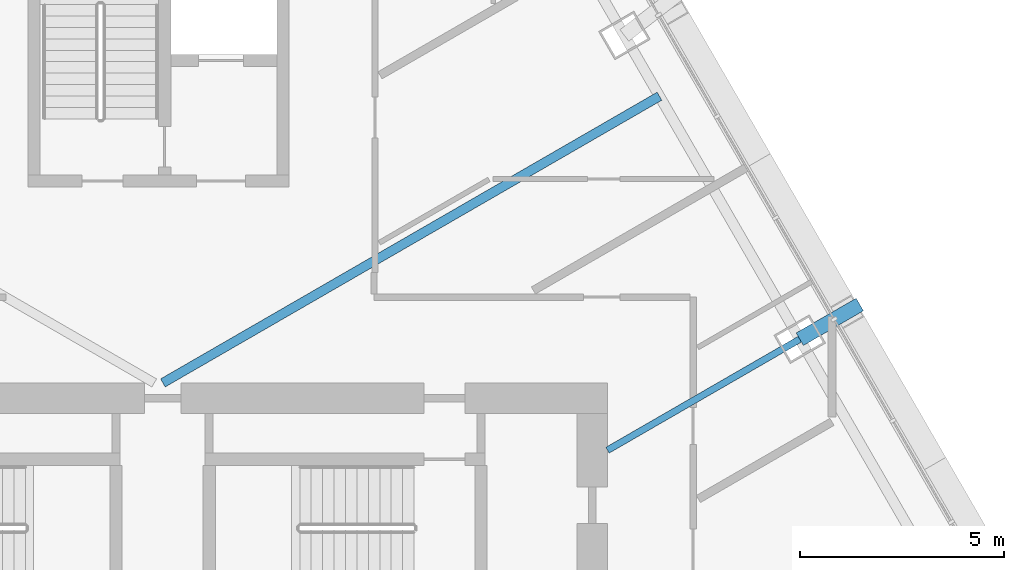
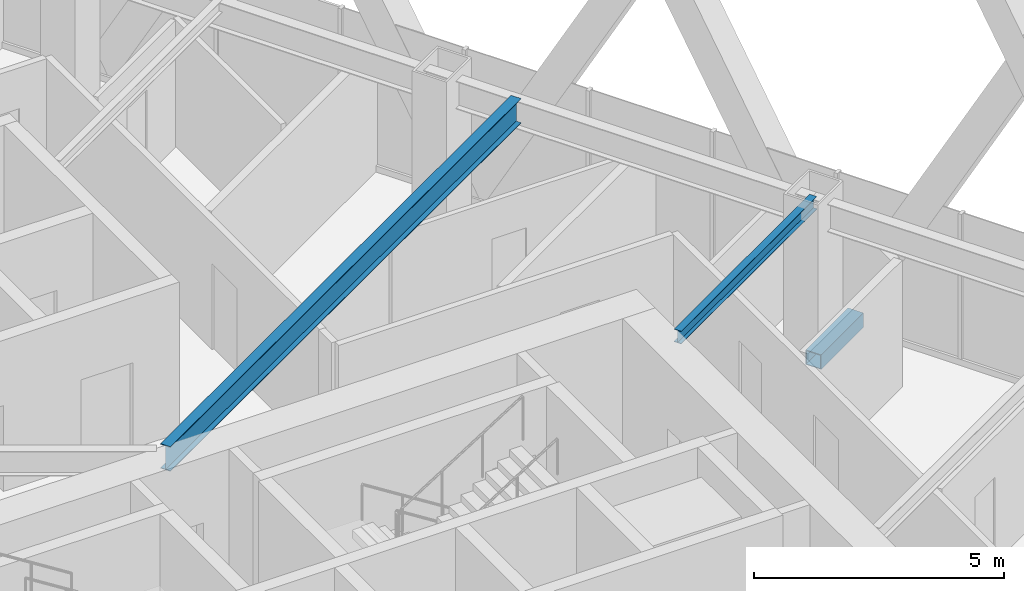
# One storey, part 12 of 23: 2 beams, 1 member.
"""IFC4 building model written with IfcOpenShell, lengths in metres."""

from ifc_helpers import new_model, si_unit, direction, frame, origin, origin_2d, place, context, subcontext, project, spatial, hollow_rectangle, i_section, extrude, material, material_profile, profile_set, type_object, element, save


model = new_model("IFC4")

# Units and contexts
model_context = context("Model", 3, precision=1e-05, world=origin(), true_north=direction((0.0, 1.0)))
body_context = subcontext(model_context, "Body", "Model", "MODEL_VIEW")
ifc_project = project(units=[si_unit("LENGTHUNIT", "METRE"), si_unit("AREAUNIT", "SQUARE_METRE"), si_unit("VOLUMEUNIT", "CUBIC_METRE"), si_unit("PLANEANGLEUNIT", "RADIAN"), si_unit("MASSUNIT", "GRAM", prefix="KILO")], contexts=[model_context])

# Site, building, storey
site_placement = place(None, origin())
site = spatial("IfcSite", under=ifc_project, at=site_placement, CompositionType="ELEMENT")
building_placement = place(site_placement, origin())
building = spatial("IfcBuilding", under=site, at=building_placement, Name="Firuza Gate Tower and Library", CompositionType="ELEMENT")
storey_placement = place(building_placement, frame((0.0, 0.0, 202.60009765625)))
storey = spatial("IfcBuildingStorey", under=building, at=storey_placement, Name="L47", CompositionType="ELEMENT", Elevation=202.60009765625)

# Member
ifc_material_1 = material(Name="Steel S355", Category="steel")
ifc_material_profile_1 = material_profile(ifc_material_1, hollow_rectangle(XDim=0.355712890625, YDim=0.355712890625, WallThickness=0.014892578125, at=origin_2d()))
ifc_profile_set_1 = profile_set([ifc_material_profile_1], Name="Steel S355")
member_type = type_object("IfcMemberType", Name="HSS356x356x16 Lattice node tie", PredefinedType="BRACE", material=ifc_profile_set_1)
member_placement = place(storey_placement, frame((90.711181640625, 84.07080078125, -0.320068359375), z_axis=(0.865996484538, 0.500050086259, 0.0), x_axis=(-0.500050086259, 0.865996484538, 0.0)))
element("IfcMember", 1, at=member_placement, inside=storey, type_object=member_type, Name="Lattice node tie E L47 234", PredefinedType="BRACE", context=body_context, shape_type="SweptSolid", body=[
    extrude(hollow_rectangle(XDim=0.355712890625, YDim=0.355712890625, WallThickness=0.014892578125, at=origin_2d()), origin(), (0.0, 0.0, 1.0), 1.698486328125),
])

# Beams
ifc_material_2 = material(Name="Steel S355", Category="steel")
ifc_material_profile_2 = material_profile(ifc_material_2, i_section(OverallWidth=0.1650390625, OverallDepth=0.31005859375, WebThickness=0.005859375, FlangeThickness=0.009765625, at=origin_2d()))
ifc_profile_set_2 = profile_set([ifc_material_profile_2], Name="Steel S355")
beam_type_1 = type_object("IfcBeamType", Name="W310x39 Floor beam", PredefinedType="JOIST", material=ifc_profile_set_2)
beam_1_placement = place(storey_placement, frame((90.711181640625, 84.07080078125, 3.544921875), z_axis=(-0.866027894023, -0.499995686755, 0.0), x_axis=(0.499995686755, -0.866027894023, 0.0)))
element("IfcBeam", 2, at=beam_1_placement, inside=storey, type_object=beam_type_1, Name="Floor beam L47 s52", PredefinedType="JOIST", context=body_context, shape_type="SweptSolid", body=[
    extrude(i_section(OverallWidth=0.1650390625, OverallDepth=0.31005859375, WebThickness=0.005859375, FlangeThickness=0.009765625, at=origin_2d()), origin(), (0.0, 0.0, 1.0), 5.43994140625),
])
ifc_material_3 = material(Name="Steel S355", Category="steel")
ifc_material_profile_3 = material_profile(ifc_material_3, i_section(OverallWidth=0.22802734375, OverallDepth=0.60302734375, WebThickness=0.010498046875, FlangeThickness=0.014892578125, at=origin_2d()))
ifc_profile_set_3 = profile_set([ifc_material_profile_3], Name="Steel S355")
beam_type_2 = type_object("IfcBeamType", Name="W610x101 Floor beam", PredefinedType="JOIST", material=ifc_profile_set_3)
beam_2_placement = place(storey_placement, frame((87.273681640625, 90.024658203125, 3.3984375), z_axis=(-0.866028453965, -0.499994716896, 0.0), x_axis=(0.499994716896, -0.866028453965, 0.0)))
element("IfcBeam", 3, at=beam_2_placement, inside=storey, type_object=beam_type_2, Name="Floor beam L47 s53", PredefinedType="JOIST", context=body_context, shape_type="SweptSolid", body=[
    extrude(i_section(OverallWidth=0.22802734375, OverallDepth=0.60302734375, WebThickness=0.010498046875, FlangeThickness=0.014892578125, at=origin_2d()), origin(), (0.0, 0.0, 1.0), 14.049560546875),
])

save(model, "model.ifc")
